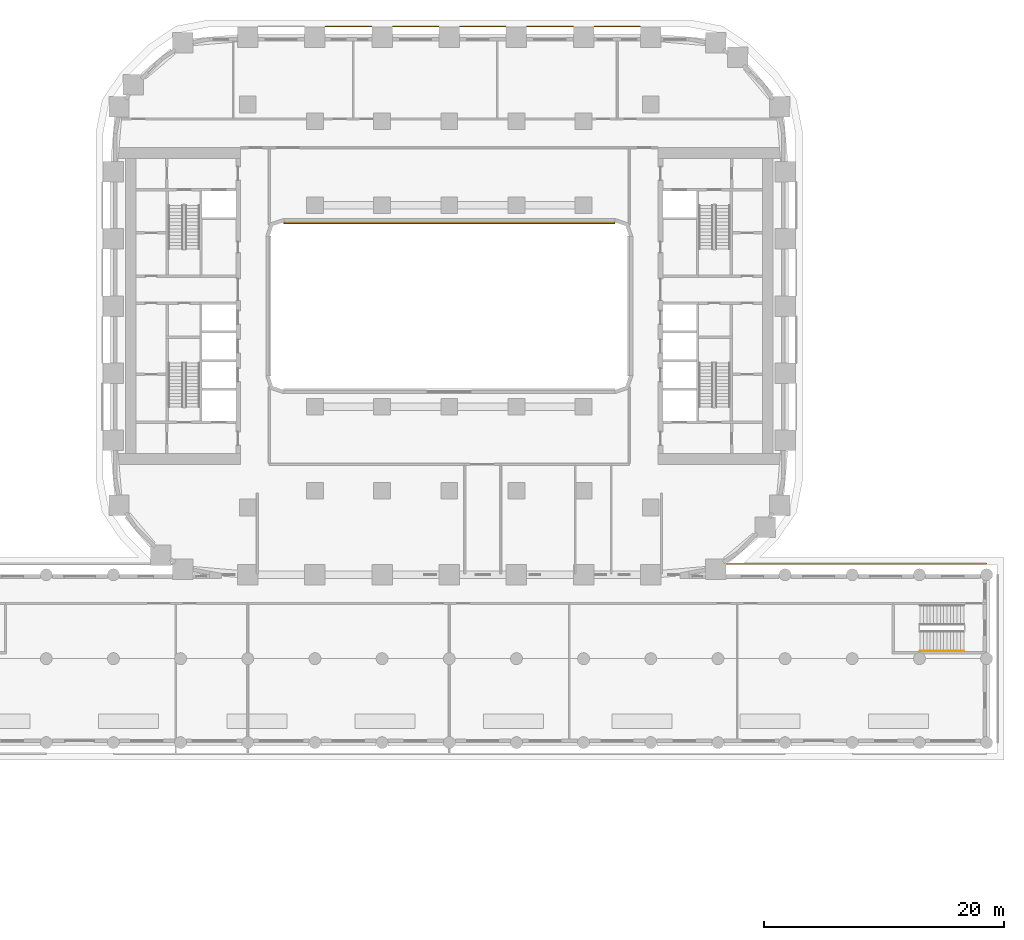
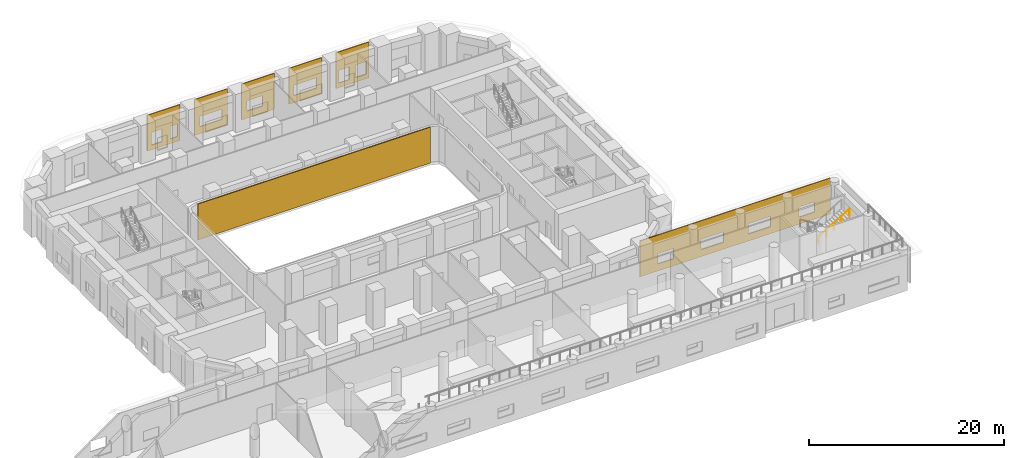
# One storey, part 32 of 35: 7 coverings, 1 railing.
"""IFC4 building model written with IfcOpenShell, lengths in metres."""

from ifc_helpers import new_model, si_unit, direction, frame, origin, origin_2d, place, context, subcontext, project, spatial, polyline, circle, outline, extrude, material, layer, layer_set, type_object, element, save


model = new_model("IFC4")

# Units and contexts
model_context = context("Model", 3, precision=1e-05, world=origin(), true_north=direction((0.0, 1.0)))
body_context = subcontext(model_context, "Body", "Model", "MODEL_VIEW")
ifc_project = project(units=[si_unit("LENGTHUNIT", "METRE"), si_unit("AREAUNIT", "SQUARE_METRE"), si_unit("VOLUMEUNIT", "CUBIC_METRE"), si_unit("PLANEANGLEUNIT", "RADIAN"), si_unit("MASSUNIT", "GRAM", prefix="KILO")], contexts=[model_context])

# Site, building, storey
site_placement = place(None, origin())
site = spatial("IfcSite", under=ifc_project, at=site_placement, CompositionType="ELEMENT")
building_placement = place(site_placement, origin())
building = spatial("IfcBuilding", under=site, at=building_placement, Name="Kiln Ring Residences", CompositionType="ELEMENT")
storey_placement = place(building_placement, frame((0.0, 0.0, 20.89990234375)))
storey = spatial("IfcBuildingStorey", under=building, at=storey_placement, Name="L04", CompositionType="ELEMENT", Elevation=20.89990234375)

# Railing
ifc_material_1 = material(Name="Stainless steel", Category="steel")
railing_type = type_object("IfcRailingType", Name="PODIUM-STAIR-HANDRAIL", PredefinedType="HANDRAIL", material=ifc_material_1)
railing_placement = place(storey_placement, frame((39.260009765625, -28.75, 2.571533203125)))
element("IfcRailing", 1, at=railing_placement, inside=storey, type_object=railing_type, Name="L04 PS-E stair handrail 2", PredefinedType="HANDRAIL", context=body_context, shape_type="SweptSolid", body=[
    extrude(circle(Radius=0.02392578125, at=origin_2d()), frame((0.0, 0.0, 0.8759765625), z_axis=(0.852850264322, 0.0, 0.5221555579), x_axis=(0.0, 1.0, 0.0)), (0.0, 0.0, 1.0), 4.267822265625),
    extrude(circle(Radius=0.02099609375, at=origin_2d()), origin(), (0.0, 0.0, 1.0), 0.851806640625),
    extrude(circle(Radius=0.02099609375, at=origin_2d()), frame((0.909912109375, 0.0, 0.55712890625)), (0.0, 0.0, 1.0), 0.851806640625),
    extrude(circle(Radius=0.02099609375, at=origin_2d()), frame((1.81982421875, 0.0, 1.1142578125)), (0.0, 0.0, 1.0), 0.851806640625),
    extrude(circle(Radius=0.02099609375, at=origin_2d()), frame((2.72998046875, 0.0, 1.67138671875)), (0.0, 0.0, 1.0), 0.851806640625),
    extrude(circle(Radius=0.02099609375, at=origin_2d()), frame((3.639892578125, 0.0, 2.228515625)), (0.0, 0.0, 1.0), 0.851806640625),
])

# Coverings
ifc_material_2 = material(Name="Brick masonry, dark clay brick", Category="masonry")
ifc_layer = layer(ifc_material_2, 0.1201171875)
ifc_layer_set = layer_set([ifc_layer], Name="RAINSCREEN PANEL 120")
covering_type = type_object("IfcCoveringType", Name="RAINSCREEN PANEL 120", PredefinedType="CLADDING", material=ifc_layer_set)
covering_1_placement = place(storey_placement, frame((44.800048828125, -21.489990234375, 0.0), z_axis=(0.0, 0.0, 1.0), x_axis=(-1.0, 0.0, 0.0)))
element("IfcCovering", 2, at=covering_1_placement, inside=storey, type_object=covering_type, Name="RAINSCREEN L04", PredefinedType="CLADDING", context=body_context, shape_type="SweptSolid", body=[
    extrude(outline(polyline([(0.0, 0.0), (22.59130859375, 0.0), (22.59130859375, 4.5), (0.0, 4.5), (0.0, 0.0)]), holes=[polyline([(3.719970703125, 0.880126953125), (3.719970703125, 2.170166015625), (1.8798828125, 2.170166015625), (1.8798828125, 0.880126953125), (3.719970703125, 0.880126953125)]), polyline([(9.719970703125, 0.880126953125), (9.719970703125, 2.170166015625), (7.080078125, 2.170166015625), (7.080078125, 0.880126953125), (9.719970703125, 0.880126953125)]), polyline([(15.320068359375, 0.880126953125), (15.320068359375, 2.170166015625), (12.679931640625, 2.170166015625), (12.679931640625, 0.880126953125), (15.320068359375, 0.880126953125)]), polyline([(20.440673828125, 0.880126953125), (20.440673828125, 2.170166015625), (18.6005859375, 2.170166015625), (18.6005859375, 0.880126953125), (20.440673828125, 0.880126953125)])]), frame((0.0, 0.06005859375, 0.0), z_axis=(0.0, -1.0, 0.0), x_axis=(1.0, 0.0, 0.0)), (0.0, 0.0, 1.0), 0.1201171875),
])
covering_2_placement = place(storey_placement, frame((15.949951171875, 23.31005859375, 0.0), z_axis=(0.0, 0.0, 1.0), x_axis=(-1.0, 0.0, 0.0)))
element("IfcCovering", 3, at=covering_2_placement, inside=storey, type_object=covering_type, Name="RAINSCREEN L04", PredefinedType="CLADDING", context=body_context, shape_type="SweptSolid", body=[
    extrude(outline(polyline([(0.0, 0.0), (3.89990234375, 0.0), (3.89990234375, 4.5), (0.0, 4.5), (0.0, 0.0)]), holes=[polyline([(1.5576171875, 2.170166015625), (0.3173828125, 2.170166015625), (0.3173828125, 0.580078125), (1.5576171875, 0.580078125), (1.5576171875, 2.170166015625)]), polyline([(3.58251953125, 2.170166015625), (2.342529296875, 2.170166015625), (2.342529296875, 0.580078125), (3.58251953125, 0.580078125), (3.58251953125, 2.170166015625)])]), frame((0.0, 0.06005859375, 0.0), z_axis=(0.0, -1.0, 0.0), x_axis=(1.0, 0.0, 0.0)), (0.0, 0.0, 1.0), 0.1201171875),
])
covering_3_placement = place(storey_placement, frame((10.35009765625, 23.31005859375, 0.0), z_axis=(0.0, 0.0, 1.0), x_axis=(-1.0, 0.0, 0.0)))
element("IfcCovering", 4, at=covering_3_placement, inside=storey, type_object=covering_type, Name="RAINSCREEN L04", PredefinedType="CLADDING", context=body_context, shape_type="SweptSolid", body=[
    extrude(outline(polyline([(0.0, 0.0), (3.89990234375, 0.0), (3.89990234375, 4.5), (0.0, 4.5), (0.0, 0.0)]), holes=[polyline([(0.6298828125, 2.170166015625), (0.6298828125, 0.880126953125), (3.27001953125, 0.880126953125), (3.27001953125, 2.170166015625), (0.6298828125, 2.170166015625)])]), frame((0.0, 0.06005859375, 0.0), z_axis=(0.0, -1.0, 0.0), x_axis=(1.0, 0.0, 0.0)), (0.0, 0.0, 1.0), 0.1201171875),
])
covering_4_placement = place(storey_placement, frame((4.75, 23.31005859375, 0.0), z_axis=(0.0, 0.0, 1.0), x_axis=(-1.0, 0.0, 0.0)))
element("IfcCovering", 5, at=covering_4_placement, inside=storey, type_object=covering_type, Name="RAINSCREEN L04", PredefinedType="CLADDING", context=body_context, shape_type="SweptSolid", body=[
    extrude(outline(polyline([(0.0, 0.0), (3.89990234375, 0.0), (3.89990234375, 4.5), (0.0, 4.5), (0.0, 0.0)]), holes=[polyline([(1.4423828125, 2.170166015625), (1.4423828125, 0.880126953125), (3.282470703125, 0.880126953125), (3.282470703125, 2.170166015625), (1.4423828125, 2.170166015625)])]), frame((0.0, 0.06005859375, 0.0), z_axis=(0.0, -1.0, 0.0), x_axis=(1.0, 0.0, 0.0)), (0.0, 0.0, 1.0), 0.1201171875),
])
covering_5_placement = place(storey_placement, frame((-0.85009765625, 23.31005859375, 0.0), z_axis=(0.0, 0.0, 1.0), x_axis=(-1.0, 0.0, 0.0)))
element("IfcCovering", 6, at=covering_5_placement, inside=storey, type_object=covering_type, Name="RAINSCREEN L04", PredefinedType="CLADDING", context=body_context, shape_type="SweptSolid", body=[
    extrude(outline(polyline([(0.0, 0.0), (3.89990234375, 0.0), (3.89990234375, 4.5), (0.0, 4.5), (0.0, 0.0)]), holes=[polyline([(0.6298828125, 2.170166015625), (0.6298828125, 0.880126953125), (3.27001953125, 0.880126953125), (3.27001953125, 2.170166015625), (0.6298828125, 2.170166015625)])]), frame((0.0, 0.06005859375, 0.0), z_axis=(0.0, -1.0, 0.0), x_axis=(1.0, 0.0, 0.0)), (0.0, 0.0, 1.0), 0.1201171875),
])
covering_6_placement = place(storey_placement, frame((-6.449951171875, 23.31005859375, 0.0), z_axis=(0.0, 0.0, 1.0), x_axis=(-1.0, 0.0, 0.0)))
element("IfcCovering", 7, at=covering_6_placement, inside=storey, type_object=covering_type, Name="RAINSCREEN L04", PredefinedType="CLADDING", context=body_context, shape_type="SweptSolid", body=[
    extrude(outline(polyline([(0.0, 0.0), (3.89990234375, 0.0), (3.89990234375, 4.5), (0.0, 4.5), (0.0, 0.0)]), holes=[polyline([(1.157470703125, 2.170166015625), (0.3173828125, 2.170166015625), (0.3173828125, 0.580078125), (1.157470703125, 0.580078125), (1.157470703125, 2.170166015625)]), polyline([(3.382568359375, 2.170166015625), (2.142578125, 2.170166015625), (2.142578125, 0.580078125), (3.382568359375, 0.580078125), (3.382568359375, 2.170166015625)])]), frame((0.0, 0.06005859375, 0.0), z_axis=(0.0, -1.0, 0.0), x_axis=(1.0, 0.0, 0.0)), (0.0, 0.0, 1.0), 0.1201171875),
])
covering_7_placement = place(storey_placement, frame((-13.800048828125, 6.93994140625, 0.0), z_axis=(0.0, 0.0, 1.0), x_axis=(1.0, 0.0, 0.0)))
element("IfcCovering", 8, at=covering_7_placement, inside=storey, type_object=covering_type, Name="RAINSCREEN L04", PredefinedType="CLADDING", context=body_context, shape_type="SweptSolid", body=[
    extrude(outline(polyline([(0.0, 0.0), (27.60009765625, 0.0), (27.60009765625, 4.5), (0.0, 4.5), (0.0, 0.0)])), frame((0.0, 0.06005859375, 0.0), z_axis=(0.0, -1.0, 0.0), x_axis=(1.0, 0.0, 0.0)), (0.0, 0.0, 1.0), 0.1201171875),
])

save(model, "model.ifc")
